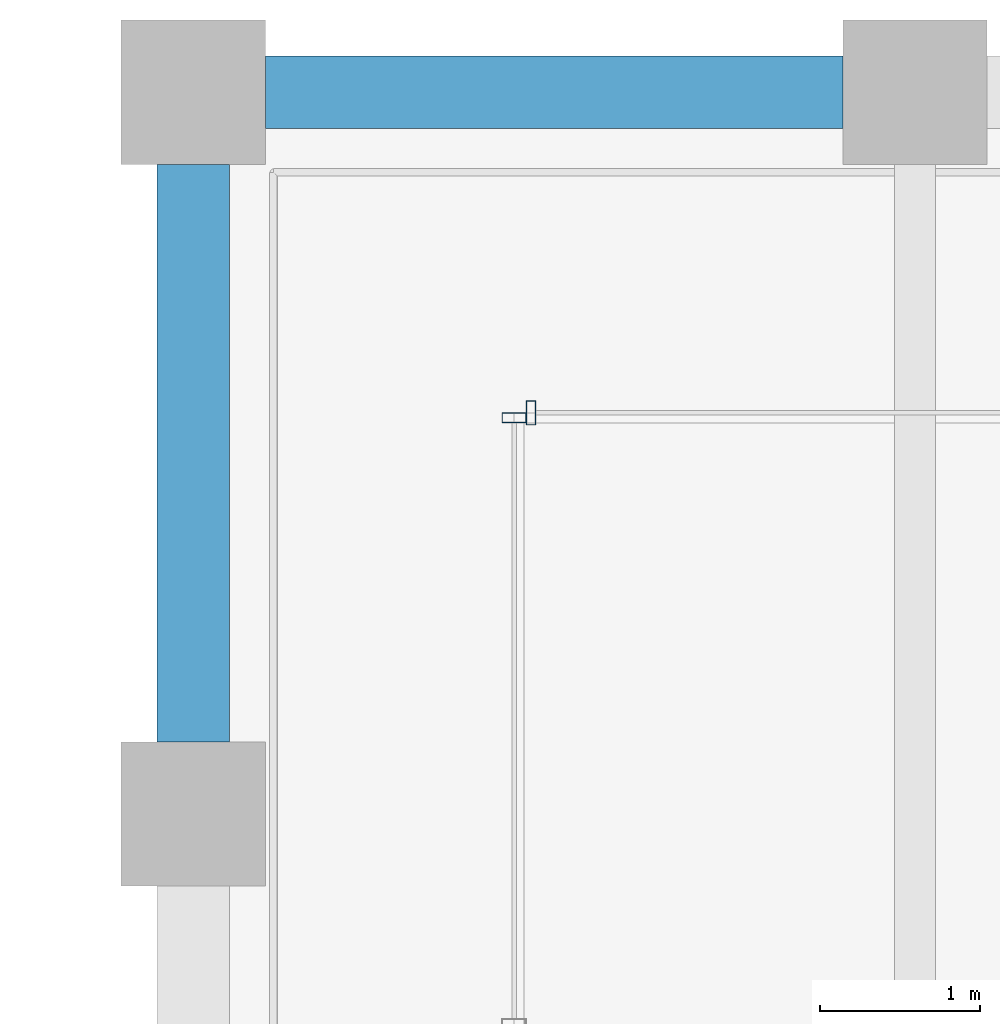
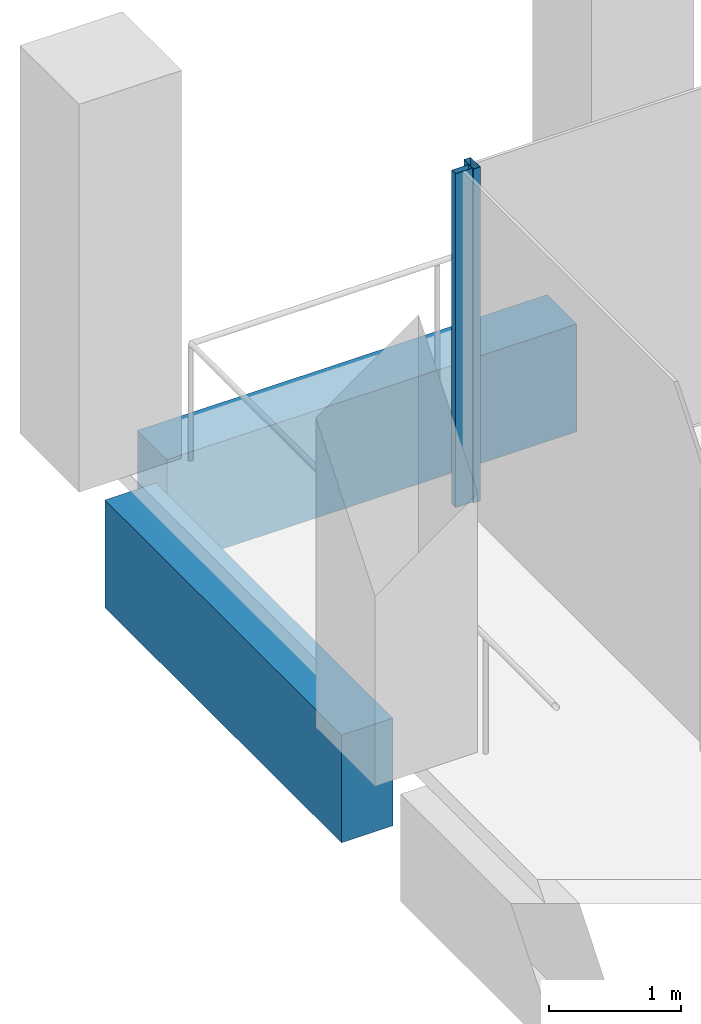
# One storey, part 21 of 40: 2 beams, 2 members, 2 elements without a shape of their own.
"""IFC4 building model written with IfcOpenShell, lengths in metres."""

from ifc_helpers import new_model, si_unit, direction, frame, origin, origin_2d, place, context, subcontext, project, spatial, rectangle, hollow_rectangle, extrude, material, material_profile, profile_set, type_object, element, aggregate, save


model = new_model("IFC4")

# Units and contexts
model_context = context("Model", 3, precision=1e-05, world=origin(), true_north=direction((0.0, 1.0)))
body_context = subcontext(model_context, "Body", "Model", "MODEL_VIEW")
ifc_project = project(units=[si_unit("LENGTHUNIT", "METRE"), si_unit("AREAUNIT", "SQUARE_METRE"), si_unit("VOLUMEUNIT", "CUBIC_METRE"), si_unit("PLANEANGLEUNIT", "RADIAN"), si_unit("MASSUNIT", "GRAM", prefix="KILO")], contexts=[model_context])

# Site, building, storey
site_placement = place(None, origin())
site = spatial("IfcSite", under=ifc_project, at=site_placement, CompositionType="ELEMENT")
building_placement = place(site_placement, origin())
building = spatial("IfcBuilding", under=site, at=building_placement, Name="Altepetl Exchange Towers", CompositionType="ELEMENT")
storey_placement = place(building_placement, frame((0.0, 0.0, 172.60009765625)))
storey = spatial("IfcBuildingStorey", under=building, at=storey_placement, Name="L43", CompositionType="ELEMENT", Elevation=172.60009765625)

# Curtain wall, member
ifc_material_1 = material(Name="Aluminium 6063-T6 glazing", Category="aluminium")
curtain_wall_type = type_object("IfcCurtainWallType", Name="Loggia glazing system", PredefinedType="NOTDEFINED", material=ifc_material_1)
curtain_wall_1_placement = place(storey_placement, origin())
curtain_wall_1 = element("IfcCurtainWall", 1, at=curtain_wall_1_placement, inside=storey, type_object=curtain_wall_type, Name="CW1 run", PredefinedType="NOTDEFINED")
ifc_material_2 = material(Name="Aluminium 6063-T6", Category="aluminium")
ifc_material_profile_1 = material_profile(ifc_material_2, hollow_rectangle(XDim=0.06005859375, YDim=0.14990234375, WallThickness=0.0029296875, at=origin_2d()), Name="Mullion 60x150 aluminium")
ifc_profile_set_1 = profile_set([ifc_material_profile_1], Name="Aluminium 6063-T6")
member_type = type_object("IfcMemberType", Name="Mullion 60x150 aluminium", PredefinedType="MULLION", material=ifc_profile_set_1)
member_1_placement = place(storey_placement, frame((42.60498046875, 70.0, 0.0), z_axis=(0.0, 0.0, 1.0), x_axis=(-1.0, 0.0, 0.0)))
member_1 = element("IfcMember", 2, at=member_1_placement, type_object=member_type, Name="MU1 mullion", PredefinedType="MULLION", context=body_context, shape_type="SweptSolid", body=[
    extrude(hollow_rectangle(XDim=0.06005859375, YDim=0.14990234375, WallThickness=0.0029296875, at=origin_2d()), origin(), (0.0, 0.0, 1.0), 3.099853515625),
])
aggregate(curtain_wall_1, [member_1])

curtain_wall_2_placement = place(storey_placement, origin())
curtain_wall_2 = element("IfcCurtainWall", 3, at=curtain_wall_2_placement, inside=storey, type_object=curtain_wall_type, Name="CW1 run", PredefinedType="NOTDEFINED")
member_2_placement = place(storey_placement, frame((42.5, 69.969970703125, 0.0), z_axis=(0.0, 0.0, 1.0), x_axis=(0.0, -1.0, 0.0)))
member_2 = element("IfcMember", 4, at=member_2_placement, type_object=member_type, Name="MU1 mullion", PredefinedType="MULLION", context=body_context, shape_type="SweptSolid", body=[
    extrude(hollow_rectangle(XDim=0.06005859375, YDim=0.14990234375, WallThickness=0.0029296875, at=origin_2d()), origin(), (0.0, 0.0, 1.0), 3.099853515625),
])
aggregate(curtain_wall_2, [member_2])

# Beams
ifc_material_3 = material(Name="Concrete C50/60 precast with cantera rosa facing", Category="concrete")
ifc_material_profile_2 = material_profile(ifc_material_3, rectangle(XDim=0.449951171875, YDim=1.0, at=origin_2d()), Name="450 x 1000")
ifc_profile_set_2 = profile_set([ifc_material_profile_2], Name="Concrete C50/60 precast with cantera rosa facing")
beam_type_1 = type_object("IfcBeamType", Name="Spandrel beam 450x1000 cantera rosa", PredefinedType="SPANDREL", material=ifc_profile_set_2)
beam_1_placement = place(storey_placement, frame((44.550048828125, 72.0, -0.650146484375), z_axis=(-1.0, 0.0, 0.0), x_axis=(0.0, -1.0, 0.0)))
element("IfcBeam", 5, at=beam_1_placement, inside=storey, type_object=beam_type_1, Name="sp:A:L43:029", PredefinedType="SPANDREL", context=body_context, shape_type="SweptSolid", body=[
    extrude(rectangle(XDim=0.449951171875, YDim=1.0, at=origin_2d()), origin(), (0.0, 0.0, 1.0), 3.60009765625),
])
ifc_material_4 = material(Name="Concrete C50/60 precast with tezontle facing", Category="concrete")
ifc_material_profile_3 = material_profile(ifc_material_4, rectangle(XDim=0.449951171875, YDim=1.0, at=origin_2d()), Name="450 x 1000")
ifc_profile_set_3 = profile_set([ifc_material_profile_3], Name="Concrete C50/60 precast with tezontle facing")
beam_type_2 = type_object("IfcBeamType", Name="Spandrel beam 450x1000 tezontle", PredefinedType="SPANDREL", material=ifc_profile_set_3)
beam_2_placement = place(storey_placement, frame((40.5, 71.550048828125, -0.650146484375), z_axis=(0.0, -1.0, 0.0), x_axis=(1.0, 0.0, 0.0)))
element("IfcBeam", 6, at=beam_2_placement, inside=storey, type_object=beam_type_2, Name="sp:A:L43:030", PredefinedType="SPANDREL", context=body_context, shape_type="SweptSolid", body=[
    extrude(rectangle(XDim=0.449951171875, YDim=1.0, at=origin_2d()), origin(), (0.0, 0.0, 1.0), 3.60009765625),
])

save(model, "model.ifc")
